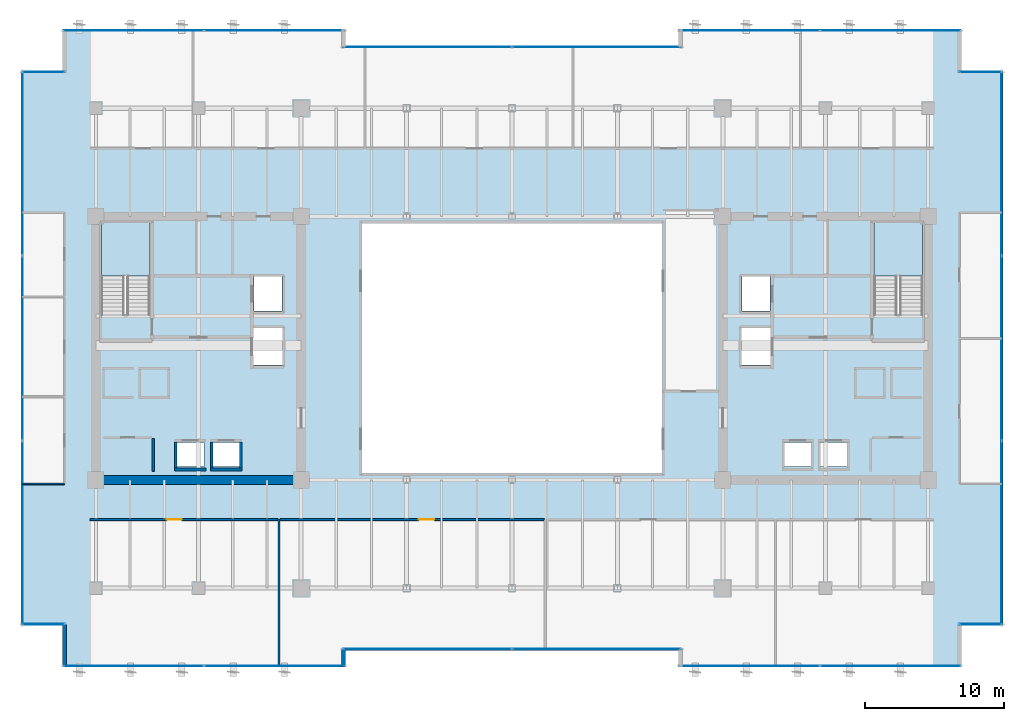
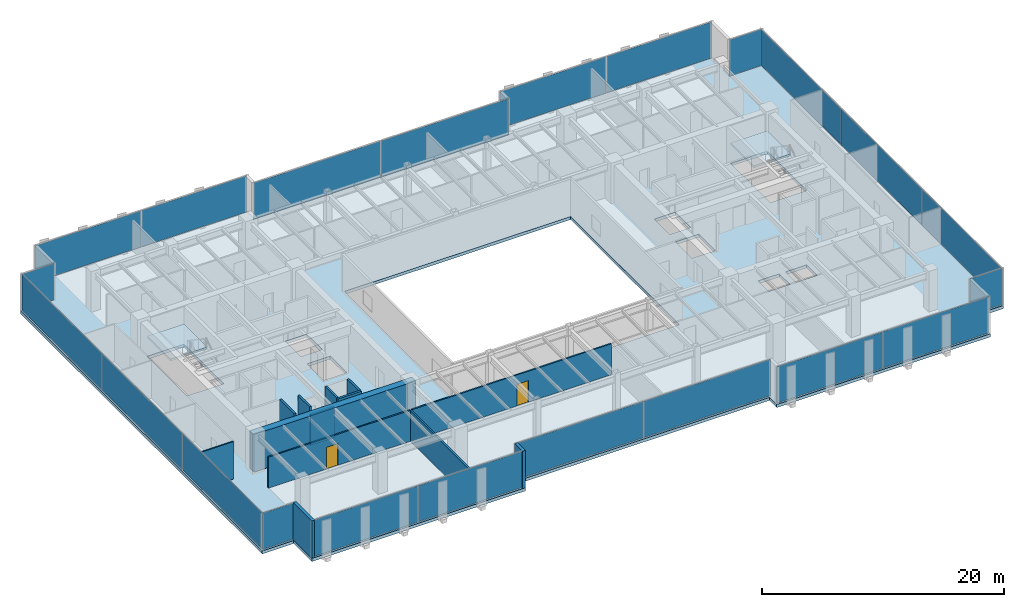
# One storey, part 24 of 34: 22 plates, 13 walls, 3 slabs, 2 doors, 2 openings, 14 elements without a shape of their own.
"""IFC4 building model written with IfcOpenShell, lengths in metres."""

from ifc_helpers import new_model, si_unit, direction, frame, frame_2d, origin, origin_2d, place, context, subcontext, project, spatial, polyline, rectangle, outline, extrude, source, transform, mapped, material, layer, layer_set, type_object, type_shapes, element, fill, aggregate, save


model = new_model("IFC4")

# Units and contexts
model_context = context("Model", 3, precision=1e-05, world=origin(), true_north=direction((0.0, 1.0)))
body_context = subcontext(model_context, "Body", "Model", "MODEL_VIEW")
ifc_project = project(units=[si_unit("LENGTHUNIT", "METRE"), si_unit("AREAUNIT", "SQUARE_METRE"), si_unit("VOLUMEUNIT", "CUBIC_METRE"), si_unit("PLANEANGLEUNIT", "RADIAN"), si_unit("MASSUNIT", "GRAM", prefix="KILO")], contexts=[model_context])

# Site, building, storey
site_placement = place(None, origin())
site = spatial("IfcSite", under=ifc_project, at=site_placement, CompositionType="ELEMENT")
building_placement = place(site_placement, origin())
building = spatial("IfcBuilding", under=site, at=building_placement, Name="Haelvirn Gate Laboratories", CompositionType="ELEMENT")
storey_placement = place(building_placement, frame((0.0, 0.0, 109.199951171875)))
storey = spatial("IfcBuildingStorey", under=building, at=storey_placement, Name="L26", CompositionType="ELEMENT", Elevation=109.199951171875)

# Stair, slab
ifc_material_1 = material(Name="Concrete C40/50", Category="concrete")
stair_type = type_object("IfcStairType", Name="ST-DOG-1650-R22", PredefinedType="HALF_TURN_STAIR", material=ifc_material_1)
stair_1_placement = place(storey_placement, origin())
stair_1 = element("IfcStair", 1, at=stair_1_placement, inside=storey, type_object=stair_type, Name="L26 Escape Stair ST1", PredefinedType="HALF_TURN_STAIR")
ifc_layer_1 = layer(ifc_material_1, 0.199951171875, Name="SL-STAIR-LND")
ifc_layer_set_1 = layer_set([ifc_layer_1], Name="Concrete C40/50")
slab_type_1 = type_object("IfcSlabType", Name="SL-STAIR-LND", PredefinedType="LANDING", material=ifc_layer_set_1)
slab_1_placement = place(storey_placement, frame((0.0, 0.0, 1.85009765625)))
slab_1 = element("IfcSlab", 2, at=slab_1_placement, type_object=slab_type_1, Name="ST1 landing 1", PredefinedType="LANDING", context=body_context, shape_type="SweptSolid", body=[
    extrude(outline(polyline([(11.300048828125, 29.5), (11.300048828125, 33.35009765625), (7.800048828125, 33.35009765625), (7.800048828125, 29.5), (11.300048828125, 29.5)])), origin(), (0.0, 0.0, 1.0), 0.199951171875),
])
aggregate(stair_1, [slab_1])

stair_2_placement = place(storey_placement, origin())
stair_2 = element("IfcStair", 3, at=stair_2_placement, inside=storey, type_object=stair_type, Name="L26 Escape Stair ST2", PredefinedType="HALF_TURN_STAIR")
slab_2_placement = place(storey_placement, frame((0.0, 0.0, 1.85009765625)))
slab_2 = element("IfcSlab", 4, at=slab_2_placement, type_object=slab_type_1, Name="ST2 landing 1", PredefinedType="LANDING", context=body_context, shape_type="SweptSolid", body=[
    extrude(outline(polyline([(67.0, 29.5), (67.0, 33.35009765625), (63.5, 33.35009765625), (63.5, 29.5), (67.0, 29.5)])), origin(), (0.0, 0.0, 1.0), 0.199951171875),
])
aggregate(stair_2, [slab_2])

# Slab
ifc_layer_2 = layer(ifc_material_1, 0.31005859375, Name="SL-Z2-310")
ifc_layer_set_2 = layer_set([ifc_layer_2], Name="Concrete C40/50")
slab_type_2 = type_object("IfcSlabType", Name="SL-Z2-310", PredefinedType="FLOOR", material=ifc_layer_set_2)
slab_3_placement = place(storey_placement, frame((0.0, 0.0, -0.31005859375)))
element("IfcSlab", 5, at=slab_3_placement, inside=storey, type_object=slab_type_2, Name="L26 Structural Slab MAIN", PredefinedType="FLOOR", context=body_context, shape_type="SweptSolid", body=[
    extrude(outline(polyline([(5.0, 1.300048828125), (25.39990234375, 1.300048828125), (25.39990234375, 2.5), (49.39990234375, 2.5), (49.39990234375, 1.300048828125), (69.800048828125, 1.300048828125), (69.800048828125, 4.300048828125), (72.800048828125, 4.300048828125), (72.800048828125, 44.300048828125), (69.800048828125, 44.300048828125), (69.800048828125, 47.300048828125), (49.39990234375, 47.300048828125), (49.39990234375, 46.10009765625), (25.39990234375, 46.10009765625), (25.39990234375, 47.300048828125), (5.0, 47.300048828125), (5.0, 44.300048828125), (2.0, 44.300048828125), (2.0, 4.300048828125), (5.0, 4.300048828125), (5.0, 1.300048828125)]), holes=[polyline([(26.60009765625, 15.300048828125), (48.199951171875, 15.300048828125), (48.199951171875, 33.300048828125), (26.60009765625, 33.300048828125), (26.60009765625, 15.300048828125)]), polyline([(11.300048828125, 26.780029296875), (11.300048828125, 33.35009765625), (7.800048828125, 33.35009765625), (7.800048828125, 26.780029296875), (11.300048828125, 26.780029296875)]), polyline([(67.0, 26.780029296875), (67.0, 33.35009765625), (63.5, 33.35009765625), (63.5, 26.780029296875), (67.0, 26.780029296875)]), polyline([(13.18994140625, 15.77001953125), (15.2099609375, 15.77001953125), (15.2099609375, 17.510009765625), (13.18994140625, 17.510009765625), (13.18994140625, 15.77001953125)]), polyline([(15.7900390625, 15.77001953125), (17.81005859375, 15.77001953125), (17.81005859375, 17.510009765625), (15.7900390625, 17.510009765625), (15.7900390625, 15.77001953125)]), polyline([(18.7900390625, 26.969970703125), (20.81005859375, 26.969970703125), (20.81005859375, 29.510009765625), (18.7900390625, 29.510009765625), (18.7900390625, 26.969970703125)]), polyline([(18.68994140625, 23.070068359375), (20.909912109375, 23.070068359375), (20.909912109375, 25.81005859375), (18.68994140625, 25.81005859375), (18.68994140625, 23.070068359375)]), polyline([(59.590087890625, 15.77001953125), (61.610107421875, 15.77001953125), (61.610107421875, 17.510009765625), (59.590087890625, 17.510009765625), (59.590087890625, 15.77001953125)]), polyline([(56.989990234375, 15.77001953125), (59.010009765625, 15.77001953125), (59.010009765625, 17.510009765625), (56.989990234375, 17.510009765625), (56.989990234375, 15.77001953125)]), polyline([(53.989990234375, 26.969970703125), (56.010009765625, 26.969970703125), (56.010009765625, 29.510009765625), (53.989990234375, 29.510009765625), (53.989990234375, 26.969970703125)]), polyline([(53.889892578125, 23.070068359375), (56.110107421875, 23.070068359375), (56.110107421875, 25.81005859375), (53.889892578125, 25.81005859375), (53.889892578125, 23.070068359375)])]), origin(), (0.0, 0.0, 1.0), 0.31005859375),
])

# Curtain wall, plates
ifc_material_2 = material(Name="Anodised bronze unitised aluminium & triple low-E glass", Category="aluminium")
ifc_layer_3 = layer(ifc_material_2, 0.179931640625, Name="CW-SYS-3")
ifc_layer_set_3 = layer_set([ifc_layer_3], Name="Anodised bronze unitised aluminium & triple low-E glass")
curtain_wall_type_1 = type_object("IfcCurtainWallType", Name="CW-SYS-3", PredefinedType="NOTDEFINED", material=ifc_layer_set_3)
curtain_wall_1_placement = place(storey_placement, origin())
curtain_wall_1 = element("IfcCurtainWall", 6, at=curtain_wall_1_placement, inside=storey, type_object=curtain_wall_type_1, Name="L26 Unitised Curtain Wall CW-L26-P0-E00-1", PredefinedType="NOTDEFINED")
ifc_material_3 = material(Name="High-selectivity bronze triple IGU 40 mm", Category="glass")
ifc_layer_4 = layer(ifc_material_3, 0.0400390625, Name="CWP-IGU-40")
ifc_layer_set_4 = layer_set([ifc_layer_4], Name="High-selectivity bronze triple IGU 40 mm")
plate_type_1 = type_object("IfcPlateType", Name="CWP-IGU-40", PredefinedType="CURTAIN_PANEL", material=ifc_layer_set_4)
shared_shape_1 = source(origin(), body_context, "Body", "SweptSolid", [
    extrude(rectangle(XDim=10.08740234375, YDim=0.0400390625, at=origin_2d()), origin(), (0.0, 0.0, 1.0), 3.659912109375),
])
plate_1_placement = place(storey_placement, frame((10.11865234375, 1.39990234375, 0.06494140625), z_axis=(0.0, 0.0, 1.0), x_axis=(1.0, 0.0, 0.0)))
plate_1 = element("IfcPlate", 7, at=plate_1_placement, type_object=plate_type_1, Name="CW3 panel 1.1", PredefinedType="CURTAIN_PANEL", context=body_context, shape_type="MappedRepresentation", body=[
    mapped(shared_shape_1, transform((0.0, 0.0, 0.0), scale=1.0)),
])
plate_2_placement = place(storey_placement, frame((20.28125, 1.39990234375, 0.06494140625), z_axis=(0.0, 0.0, 1.0), x_axis=(1.0, 0.0, 0.0)))
plate_2 = element("IfcPlate", 8, at=plate_2_placement, type_object=plate_type_1, Name="CW3 panel 2.1", PredefinedType="CURTAIN_PANEL", context=body_context, shape_type="MappedRepresentation", body=[
    mapped(shared_shape_1, transform((0.0, 0.0, 0.0), scale=1.0)),
])
aggregate(curtain_wall_1, [plate_1, plate_2])

curtain_wall_2_placement = place(storey_placement, origin())
curtain_wall_2 = element("IfcCurtainWall", 9, at=curtain_wall_2_placement, inside=storey, type_object=curtain_wall_type_1, Name="L26 Unitised Curtain Wall CW-L26-P0-E04-1", PredefinedType="NOTDEFINED")
plate_3_placement = place(storey_placement, frame((54.518798828125, 1.39990234375, 0.06494140625), z_axis=(0.0, 0.0, 1.0), x_axis=(1.0, 0.0, 0.0)))
plate_3 = element("IfcPlate", 10, at=plate_3_placement, type_object=plate_type_1, Name="CW3 panel 1.1", PredefinedType="CURTAIN_PANEL", context=body_context, shape_type="MappedRepresentation", body=[
    mapped(shared_shape_1, transform((0.0, 0.0, 0.0), scale=1.0)),
])
plate_4_placement = place(storey_placement, frame((64.68115234375, 1.39990234375, 0.06494140625), z_axis=(0.0, 0.0, 1.0), x_axis=(1.0, 0.0, 0.0)))
plate_4 = element("IfcPlate", 11, at=plate_4_placement, type_object=plate_type_1, Name="CW3 panel 2.1", PredefinedType="CURTAIN_PANEL", context=body_context, shape_type="MappedRepresentation", body=[
    mapped(shared_shape_1, transform((0.0, 0.0, 0.0), scale=1.0)),
])
aggregate(curtain_wall_2, [plate_3, plate_4])

curtain_wall_3_placement = place(storey_placement, origin())
curtain_wall_3 = element("IfcCurtainWall", 12, at=curtain_wall_3_placement, inside=storey, type_object=curtain_wall_type_1, Name="L26 Unitised Curtain Wall CW-L26-P0-E10-1", PredefinedType="NOTDEFINED")
plate_5_placement = place(storey_placement, frame((54.518798828125, 47.199951171875, 0.06494140625), z_axis=(0.0, 0.0, 1.0), x_axis=(1.0, 0.0, 0.0)))
plate_5 = element("IfcPlate", 13, at=plate_5_placement, type_object=plate_type_1, Name="CW3 panel 1.1", PredefinedType="CURTAIN_PANEL", context=body_context, shape_type="MappedRepresentation", body=[
    mapped(shared_shape_1, transform((0.0, 0.0, 0.0), scale=1.0)),
])
plate_6_placement = place(storey_placement, frame((64.68115234375, 47.199951171875, 0.06494140625), z_axis=(0.0, 0.0, 1.0), x_axis=(1.0, 0.0, 0.0)))
plate_6 = element("IfcPlate", 14, at=plate_6_placement, type_object=plate_type_1, Name="CW3 panel 2.1", PredefinedType="CURTAIN_PANEL", context=body_context, shape_type="MappedRepresentation", body=[
    mapped(shared_shape_1, transform((0.0, 0.0, 0.0), scale=1.0)),
])
aggregate(curtain_wall_3, [plate_5, plate_6])

curtain_wall_4_placement = place(storey_placement, origin())
curtain_wall_4 = element("IfcCurtainWall", 15, at=curtain_wall_4_placement, inside=storey, type_object=curtain_wall_type_1, Name="L26 Unitised Curtain Wall CW-L26-P0-E14-1", PredefinedType="NOTDEFINED")
plate_7_placement = place(storey_placement, frame((10.11865234375, 47.199951171875, 0.06494140625), z_axis=(0.0, 0.0, 1.0), x_axis=(1.0, 0.0, 0.0)))
plate_7 = element("IfcPlate", 16, at=plate_7_placement, type_object=plate_type_1, Name="CW3 panel 1.1", PredefinedType="CURTAIN_PANEL", context=body_context, shape_type="MappedRepresentation", body=[
    mapped(shared_shape_1, transform((0.0, 0.0, 0.0), scale=1.0)),
])
plate_8_placement = place(storey_placement, frame((20.28125, 47.199951171875, 0.06494140625), z_axis=(0.0, 0.0, 1.0), x_axis=(1.0, 0.0, 0.0)))
plate_8 = element("IfcPlate", 17, at=plate_8_placement, type_object=plate_type_1, Name="CW3 panel 2.1", PredefinedType="CURTAIN_PANEL", context=body_context, shape_type="MappedRepresentation", body=[
    mapped(shared_shape_1, transform((0.0, 0.0, 0.0), scale=1.0)),
])
aggregate(curtain_wall_4, [plate_7, plate_8])

curtain_wall_5_placement = place(storey_placement, origin())
curtain_wall_5 = element("IfcCurtainWall", 18, at=curtain_wall_5_placement, inside=storey, type_object=curtain_wall_type_1, Name="L26 Unitised Curtain Wall CW-L26-P0-E02-1", PredefinedType="NOTDEFINED")
shared_shape_2 = source(origin(), body_context, "Body", "SweptSolid", [
    extrude(rectangle(XDim=12.12744140625, YDim=0.0400390625, at=origin_2d()), origin(), (0.0, 0.0, 1.0), 3.659912109375),
])
plate_9_placement = place(storey_placement, frame((31.298828125, 2.60009765625, 0.06494140625), z_axis=(0.0, 0.0, 1.0), x_axis=(1.0, 0.0, 0.0)))
plate_9 = element("IfcPlate", 19, at=plate_9_placement, type_object=plate_type_1, Name="CW3 panel 1.1", PredefinedType="CURTAIN_PANEL", context=body_context, shape_type="MappedRepresentation", body=[
    mapped(shared_shape_2, transform((0.0, 0.0, 0.0), scale=1.0)),
])
plate_10_placement = place(storey_placement, frame((43.501220703125, 2.60009765625, 0.06494140625), z_axis=(0.0, 0.0, 1.0), x_axis=(1.0, 0.0, 0.0)))
plate_10 = element("IfcPlate", 20, at=plate_10_placement, type_object=plate_type_1, Name="CW3 panel 2.1", PredefinedType="CURTAIN_PANEL", context=body_context, shape_type="MappedRepresentation", body=[
    mapped(shared_shape_2, transform((0.0, 0.0, 0.0), scale=1.0)),
])
aggregate(curtain_wall_5, [plate_9, plate_10])

curtain_wall_6_placement = place(storey_placement, origin())
curtain_wall_6 = element("IfcCurtainWall", 21, at=curtain_wall_6_placement, inside=storey, type_object=curtain_wall_type_1, Name="L26 Unitised Curtain Wall CW-L26-P0-E12-1", PredefinedType="NOTDEFINED")
plate_11_placement = place(storey_placement, frame((31.298828125, 46.0, 0.06494140625), z_axis=(0.0, 0.0, 1.0), x_axis=(1.0, 0.0, 0.0)))
plate_11 = element("IfcPlate", 22, at=plate_11_placement, type_object=plate_type_1, Name="CW3 panel 1.1", PredefinedType="CURTAIN_PANEL", context=body_context, shape_type="MappedRepresentation", body=[
    mapped(shared_shape_2, transform((0.0, 0.0, 0.0), scale=1.0)),
])
plate_12_placement = place(storey_placement, frame((43.501220703125, 46.0, 0.06494140625), z_axis=(0.0, 0.0, 1.0), x_axis=(1.0, 0.0, 0.0)))
plate_12 = element("IfcPlate", 23, at=plate_12_placement, type_object=plate_type_1, Name="CW3 panel 2.1", PredefinedType="CURTAIN_PANEL", context=body_context, shape_type="MappedRepresentation", body=[
    mapped(shared_shape_2, transform((0.0, 0.0, 0.0), scale=1.0)),
])
aggregate(curtain_wall_6, [plate_11, plate_12])

# Curtain wall, plate
ifc_layer_5 = layer(ifc_material_2, 0.181884765625, Name="CW-SYS-5")
ifc_layer_set_5 = layer_set([ifc_layer_5], Name="Anodised bronze unitised aluminium & triple low-E glass")
curtain_wall_type_2 = type_object("IfcCurtainWallType", Name="CW-SYS-5", PredefinedType="NOTDEFINED", material=ifc_layer_set_5)
curtain_wall_7_placement = place(storey_placement, origin())
curtain_wall_7 = element("IfcCurtainWall", 24, at=curtain_wall_7_placement, inside=storey, type_object=curtain_wall_type_2, Name="L26 Unitised Curtain Wall CW-L26-P0-E06-1", PredefinedType="NOTDEFINED")
ifc_material_4 = material(Name="Clear low-iron notched-corner triple IGU 42 mm", Category="glass")
ifc_layer_6 = layer(ifc_material_4, 0.0419921875, Name="CWP-NTC-42")
ifc_layer_set_6 = layer_set([ifc_layer_6], Name="Clear low-iron notched-corner triple IGU 42 mm")
plate_type_2 = type_object("IfcPlateType", Name="CWP-NTC-42", PredefinedType="CURTAIN_PANEL", material=ifc_layer_set_6)
shared_shape_3 = source(origin(), body_context, "Body", "SweptSolid", [
    extrude(rectangle(XDim=3.080078125, YDim=0.0419921875, at=origin_2d()), origin(), (0.0, 0.0, 1.0), 3.659912109375),
])
type_shapes(plate_type_2, [shared_shape_3])
plate_13_placement = place(storey_placement, frame((71.179931640625, 4.39990234375, 0.06494140625), z_axis=(0.0, 0.0, 1.0), x_axis=(1.0, 0.0, 0.0)))
plate_13 = element("IfcPlate", 25, at=plate_13_placement, type_object=plate_type_2, Name="CW5 panel 1.1", PredefinedType="CURTAIN_PANEL", context=body_context, shape_type="MappedRepresentation", body=[
    mapped(shared_shape_3, transform((0.0, 0.0, 0.0), scale=1.0)),
])
aggregate(curtain_wall_7, [plate_13])

curtain_wall_8_placement = place(storey_placement, origin())
curtain_wall_8 = element("IfcCurtainWall", 26, at=curtain_wall_8_placement, inside=storey, type_object=curtain_wall_type_2, Name="L26 Unitised Curtain Wall CW-L26-P0-E08-1", PredefinedType="NOTDEFINED")
plate_14_placement = place(storey_placement, frame((71.179931640625, 44.199951171875, 0.06494140625), z_axis=(0.0, 0.0, 1.0), x_axis=(1.0, 0.0, 0.0)))
plate_14 = element("IfcPlate", 27, at=plate_14_placement, type_object=plate_type_2, Name="CW5 panel 1.1", PredefinedType="CURTAIN_PANEL", context=body_context, shape_type="MappedRepresentation", body=[
    mapped(shared_shape_3, transform((0.0, 0.0, 0.0), scale=1.0)),
])
aggregate(curtain_wall_8, [plate_14])

curtain_wall_9_placement = place(storey_placement, origin())
curtain_wall_9 = element("IfcCurtainWall", 28, at=curtain_wall_9_placement, inside=storey, type_object=curtain_wall_type_2, Name="L26 Unitised Curtain Wall CW-L26-P0-E16-1", PredefinedType="NOTDEFINED")
plate_15_placement = place(storey_placement, frame((3.6201171875, 44.199951171875, 0.06494140625), z_axis=(0.0, 0.0, 1.0), x_axis=(1.0, 0.0, 0.0)))
plate_15 = element("IfcPlate", 29, at=plate_15_placement, type_object=plate_type_2, Name="CW5 panel 1.1", PredefinedType="CURTAIN_PANEL", context=body_context, shape_type="MappedRepresentation", body=[
    mapped(shared_shape_3, transform((0.0, 0.0, 0.0), scale=1.0)),
])
aggregate(curtain_wall_9, [plate_15])

curtain_wall_10_placement = place(storey_placement, origin())
curtain_wall_10 = element("IfcCurtainWall", 30, at=curtain_wall_10_placement, inside=storey, type_object=curtain_wall_type_2, Name="L26 Unitised Curtain Wall CW-L26-P0-E18-1", PredefinedType="NOTDEFINED")
plate_16_placement = place(storey_placement, frame((3.6201171875, 4.39990234375, 0.06494140625), z_axis=(0.0, 0.0, 1.0), x_axis=(1.0, 0.0, 0.0)))
plate_16 = element("IfcPlate", 31, at=plate_16_placement, type_object=plate_type_2, Name="CW5 panel 1.1", PredefinedType="CURTAIN_PANEL", context=body_context, shape_type="MappedRepresentation", body=[
    mapped(shared_shape_3, transform((0.0, 0.0, 0.0), scale=1.0)),
])
aggregate(curtain_wall_10, [plate_16])

# Curtain wall, plates
curtain_wall_11_placement = place(storey_placement, origin())
curtain_wall_11 = element("IfcCurtainWall", 32, at=curtain_wall_11_placement, inside=storey, type_object=curtain_wall_type_1, Name="L26 Unitised Curtain Wall CW-L26-P0-E07", PredefinedType="NOTDEFINED")
shared_shape_4 = source(origin(), body_context, "Body", "SweptSolid", [
    extrude(rectangle(XDim=13.220947265625, YDim=0.0400390625, at=origin_2d()), origin(), (0.0, 0.0, 1.0), 3.659912109375),
])
plate_17_placement = place(storey_placement, frame((72.699951171875, 10.9853515625, 0.06494140625), z_axis=(0.0, 0.0, 1.0), x_axis=(0.0, 1.0, 0.0)))
plate_17 = element("IfcPlate", 33, at=plate_17_placement, type_object=plate_type_1, Name="CW3 panel 1.1", PredefinedType="CURTAIN_PANEL", context=body_context, shape_type="MappedRepresentation", body=[
    mapped(shared_shape_4, transform((0.0, 0.0, 0.0), scale=1.0)),
])
plate_18_placement = place(storey_placement, frame((72.699951171875, 37.614501953125, 0.06494140625), z_axis=(0.0, 0.0, 1.0), x_axis=(0.0, 1.0, 0.0)))
plate_18 = element("IfcPlate", 34, at=plate_18_placement, type_object=plate_type_1, Name="CW3 panel 3.1", PredefinedType="CURTAIN_PANEL", context=body_context, shape_type="MappedRepresentation", body=[
    mapped(shared_shape_4, transform((0.0, 0.0, 0.0), scale=1.0)),
])

curtain_wall_12_placement = place(storey_placement, origin())
curtain_wall_12 = element("IfcCurtainWall", 35, at=curtain_wall_12_placement, inside=storey, type_object=curtain_wall_type_1, Name="L26 Unitised Curtain Wall CW-L26-P0-E17", PredefinedType="NOTDEFINED")
plate_19_placement = place(storey_placement, frame((2.10009765625, 37.614501953125, 0.06494140625), z_axis=(0.0, 0.0, 1.0), x_axis=(0.0, -1.0, 0.0)))
plate_19 = element("IfcPlate", 36, at=plate_19_placement, type_object=plate_type_1, Name="CW3 panel 1.1", PredefinedType="CURTAIN_PANEL", context=body_context, shape_type="MappedRepresentation", body=[
    mapped(shared_shape_4, transform((0.0, 0.0, 0.0), scale=1.0)),
])
plate_20_placement = place(storey_placement, frame((2.10009765625, 10.9853515625, 0.06494140625), z_axis=(0.0, 0.0, 1.0), x_axis=(0.0, -1.0, 0.0)))
plate_20 = element("IfcPlate", 37, at=plate_20_placement, type_object=plate_type_1, Name="CW3 panel 3.1", PredefinedType="CURTAIN_PANEL", context=body_context, shape_type="MappedRepresentation", body=[
    mapped(shared_shape_4, transform((0.0, 0.0, 0.0), scale=1.0)),
])

# Plate
shared_shape_5 = source(origin(), body_context, "Body", "SweptSolid", [
    extrude(rectangle(XDim=13.25830078125, YDim=0.0400390625, at=origin_2d()), origin(), (0.0, 0.0, 1.0), 3.659912109375),
])
type_shapes(plate_type_1, [shared_shape_1, shared_shape_2, shared_shape_4, shared_shape_5])
plate_21_placement = place(storey_placement, frame((72.699951171875, 24.300048828125, 0.06494140625), z_axis=(0.0, 0.0, 1.0), x_axis=(0.0, 1.0, 0.0)))
plate_21 = element("IfcPlate", 38, at=plate_21_placement, type_object=plate_type_1, Name="CW3 panel 2.1", PredefinedType="CURTAIN_PANEL", context=body_context, shape_type="MappedRepresentation", body=[
    mapped(shared_shape_5, transform((0.0, 0.0, 0.0), scale=1.0)),
])

aggregate(curtain_wall_11, [plate_17, plate_21, plate_18])

plate_22_placement = place(storey_placement, frame((2.10009765625, 24.300048828125, 0.06494140625), z_axis=(0.0, 0.0, 1.0), x_axis=(0.0, -1.0, 0.0)))
plate_22 = element("IfcPlate", 39, at=plate_22_placement, type_object=plate_type_1, Name="CW3 panel 2.1", PredefinedType="CURTAIN_PANEL", context=body_context, shape_type="MappedRepresentation", body=[
    mapped(shared_shape_5, transform((0.0, 0.0, 0.0), scale=1.0)),
])

aggregate(curtain_wall_12, [plate_19, plate_22, plate_20])

# Walls
ifc_material_5 = material(Name="Thermally-broken bronze aluminium rainscreen & mineral wool", Category="aluminium")
ifc_layer_7 = layer(ifc_material_5, 0.280029296875, Name="EW-TERR-280")
ifc_layer_set_7 = layer_set([ifc_layer_7], Name="Thermally-broken bronze aluminium rainscreen & mineral wool")
wall_type_1 = type_object("IfcWallType", Name="EW-TERR-280", PredefinedType="STANDARD", material=ifc_layer_set_7)
wall_1_placement = place(storey_placement, frame((25.260009765625, 1.300048828125, 0.0), z_axis=(0.0, 0.0, 1.0), x_axis=(0.0, 1.0, 0.0)))
element("IfcWall", 40, at=wall_1_placement, inside=storey, type_object=wall_type_1, Name="L26 Atrium Recess Bronze Return Wall 01", PredefinedType="STANDARD", context=body_context, shape_type="SweptSolid", body=[
    extrude(rectangle(XDim=1.287841796875, YDim=0.280029296875, at=frame_2d((0.64404296875, 0.0))), origin(), (0.0, 0.0, 1.0), 3.7900390625),
])
wall_2_placement = place(storey_placement, frame((5.139892578125, 4.387939453125, 0.0), z_axis=(0.0, 0.0, 1.0), x_axis=(0.0, -1.0, 0.0)))
element("IfcWall", 41, at=wall_2_placement, inside=storey, type_object=wall_type_1, Name="L26 Atrium Recess Bronze Return Wall 19", PredefinedType="STANDARD", context=body_context, shape_type="SweptSolid", body=[
    extrude(rectangle(XDim=3.087890625, YDim=0.280029296875, at=frame_2d((1.5439453125, 0.0))), origin(), (0.0, 0.0, 1.0), 3.7900390625),
])
ifc_material_6 = material(Name="Double-layer acoustic gypsum laboratory partition", Category="gypsum")
ifc_layer_8 = layer(ifc_material_6, 0.159912109375, Name="IW-ACOUST-160")
ifc_layer_set_8 = layer_set([ifc_layer_8], Name="Double-layer acoustic gypsum laboratory partition")
wall_type_2 = type_object("IfcWallType", Name="IW-ACOUST-160", PredefinedType="PARTITIONING", material=ifc_layer_set_8)
wall_3_placement = place(storey_placement, frame((20.60009765625, 1.409912109375, 0.0), z_axis=(0.0, 0.0, 1.0), x_axis=(0.0, 1.0, 0.0)))
element("IfcWall", 42, at=wall_3_placement, inside=storey, type_object=wall_type_2, Name="L26 Interior Wall IW-L26-SDIV-01", PredefinedType="PARTITIONING", context=body_context, shape_type="SweptSolid", body=[
    extrude(rectangle(XDim=10.530029296875, YDim=0.159912109375, at=frame_2d((5.26513671875, 0.0))), origin(), (0.0, 0.0, 1.0), 3.074951171875),
])
ifc_material_7 = material(Name="Lightweight acoustic gypsum board partition", Category="gypsum")
ifc_layer_9 = layer(ifc_material_7, 0.1201171875, Name="IW-PART-120")
ifc_layer_set_9 = layer_set([ifc_layer_9], Name="Lightweight acoustic gypsum board partition")
wall_type_3 = type_object("IfcWallType", Name="IW-PART-120", PredefinedType="PARTITIONING", material=ifc_layer_set_9)
wall_4_placement = place(storey_placement, frame((2.110107421875, 14.514892578125, 0.0), z_axis=(0.0, 0.0, 1.0), x_axis=(1.0, 0.0, 0.0)))
element("IfcWall", 43, at=wall_4_placement, inside=storey, type_object=wall_type_3, Name="L26 Interior Wall IW-L26-WCAP-S", PredefinedType="PARTITIONING", context=body_context, shape_type="SweptSolid", body=[
    extrude(rectangle(XDim=3.019775390625, YDim=0.1201171875, at=frame_2d((1.509765625, 0.0))), origin(), (0.0, 0.0, 1.0), 3.7900390625),
])

# Wall, opening, door
ifc_material_8 = material(Name="Acoustic mineral-wool gypsum board partition", Category="gypsum")
ifc_layer_10 = layer(ifc_material_8, 0.139892578125, Name="IW-PART-140")
ifc_layer_set_10 = layer_set([ifc_layer_10], Name="Acoustic mineral-wool gypsum board partition")
wall_type_4 = type_object("IfcWallType", Name="IW-PART-140", PredefinedType="PARTITIONING", material=ifc_layer_set_10)
wall_5_placement = place(storey_placement, frame((6.97998046875, 11.93994140625, 0.0), z_axis=(0.0, 0.0, 1.0), x_axis=(1.0, 0.0, 0.0)))
wall_5 = element("IfcWall", 44, at=wall_5_placement, inside=storey, type_object=wall_type_4, Name="L26 Interior Wall IW-L26-SCORR-01", PredefinedType="PARTITIONING", context=body_context, shape_type="SweptSolid", body=[
    extrude(rectangle(XDim=13.5400390625, YDim=0.139892578125, at=frame_2d((6.77001953125, 0.0))), origin(), (0.0, 0.0, 1.0), 3.125),
])
opening_1_placement = place(wall_5_placement, frame((5.515625, 0.0, 0.0)))
opening_1 = element("IfcOpeningElement", 45, at=opening_1_placement, cuts=wall_5, Name="Opening D1", PredefinedType="OPENING", context=body_context, shape_type="SweptSolid", body=[
    extrude(rectangle(XDim=1.10009765625, YDim=2.179931640625, at=frame_2d((0.550048828125, 1.08984375))), frame((0.0, 0.080078125, 0.0), z_axis=(0.0, -1.0, 0.0), x_axis=(1.0, 0.0, 0.0)), (0.0, 0.0, 1.0), 0.159912109375),
])
ifc_material_9 = material(Name="Vision-panel acoustic solid-core timber lab door", Category="wood")
door_type = type_object("IfcDoorType", Name="DR-LAB-1100", OperationType="NOTDEFINED", PredefinedType="DOOR", material=ifc_material_9)
shared_shape_6 = source(origin(), body_context, "Body", "SweptSolid", [
    extrude(rectangle(XDim=1.10009765625, YDim=2.179931640625, at=frame_2d((0.550048828125, 1.08984375))), frame((0.0, 0.02490234375, 0.0), z_axis=(0.0, -1.0, 0.0), x_axis=(1.0, 0.0, 0.0)), (0.0, 0.0, 1.0), 0.050048828125),
])
type_shapes(door_type, [shared_shape_6])
door_1_placement = place(opening_1_placement, origin())
door_1 = element("IfcDoor", 46, at=door_1_placement, inside=storey, type_object=door_type, Name="L26 Bioinformatics Dry-Lab Workspace Door S1", OperationType="SINGLE_SWING_LEFT", OverallHeight=2.179931640625, OverallWidth=1.10009765625, PredefinedType="DOOR", context=body_context, shape_type="MappedRepresentation", body=[
    mapped(shared_shape_6, transform((0.0, 0.0, 0.0), scale=1.0)),
])
fill(opening_1, door_1)

wall_6_placement = place(storey_placement, frame((20.679931640625, 11.93994140625, 0.0), z_axis=(0.0, 0.0, 1.0), x_axis=(1.0, 0.0, 0.0)))
wall_6 = element("IfcWall", 47, at=wall_6_placement, inside=storey, type_object=wall_type_4, Name="L26 Interior Wall IW-L26-SCORR-02", PredefinedType="PARTITIONING", context=body_context, shape_type="SweptSolid", body=[
    extrude(rectangle(XDim=19.0400390625, YDim=0.139892578125, at=frame_2d((9.52001953125, 0.0))), origin(), (0.0, 0.0, 1.0), 3.125),
])
opening_2_placement = place(wall_6_placement, frame((10.00439453125, 0.0, 0.0)))
opening_2 = element("IfcOpeningElement", 48, at=opening_2_placement, cuts=wall_6, Name="Opening D1", PredefinedType="OPENING", context=body_context, shape_type="SweptSolid", body=[
    extrude(rectangle(XDim=1.10009765625, YDim=2.179931640625, at=frame_2d((0.550048828125, 1.08984375))), frame((0.0, 0.080078125, 0.0), z_axis=(0.0, -1.0, 0.0), x_axis=(1.0, 0.0, 0.0)), (0.0, 0.0, 1.0), 0.159912109375),
])
door_2_placement = place(opening_2_placement, origin())
door_2 = element("IfcDoor", 49, at=door_2_placement, inside=storey, type_object=door_type, Name="L26 Translational Data Office Door S2", OperationType="SINGLE_SWING_RIGHT", OverallHeight=2.179931640625, OverallWidth=1.10009765625, PredefinedType="DOOR", context=body_context, shape_type="MappedRepresentation", body=[
    mapped(shared_shape_6, transform((0.0, 0.0, 0.0), scale=1.0)),
])
fill(opening_2, door_2)

# Walls
ifc_layer_11 = layer(ifc_material_1, 0.179931640625, Name="IW-SHAFT-180")
ifc_layer_set_11 = layer_set([ifc_layer_11], Name="Concrete C40/50")
wall_type_5 = type_object("IfcWallType", Name="IW-SHAFT-180", PredefinedType="SOLIDWALL", material=ifc_layer_set_11)
for number, where, z_axis, x_axis, name in (
    (50, (13.14990234375, 15.64990234375, 0.0), (0.0, 0.0, 1.0), (0.0, 1.0, 0.0), "L26 Interior Wall IW-L26-PL5-SD"),
    (51, (15.75, 15.64990234375, 0.0), (0.0, 0.0, 1.0), (0.0, 1.0, 0.0), "L26 Interior Wall IW-L26-PL6-SD"),
    (52, (17.85009765625, 15.64990234375, 0.0), (0.0, 0.0, 1.0), (0.0, 1.0, 0.0), "L26 Interior Wall IW-L26-PL6-SDE"),
):
    element("IfcWall", number, at=place(storey_placement, frame(where, z_axis=z_axis, x_axis=x_axis)), inside=storey, type_object=wall_type_5, Name=name, PredefinedType="SOLIDWALL", context=body_context, shape_type="SweptSolid", body=[
        extrude(rectangle(XDim=1.900146484375, YDim=0.179931640625, at=frame_2d((0.9501953125, 0.0))), origin(), (0.0, 0.0, 1.0), 3.7900390625),
    ])
wall_7_placement = place(storey_placement, frame((11.5400390625, 15.39990234375, 0.0), z_axis=(0.0, 0.0, 1.0), x_axis=(0.0, 1.0, 0.0)))
element("IfcWall", 53, at=wall_7_placement, inside=storey, type_object=wall_type_5, Name="L26 Interior Wall IW-L26-W-FREED-LE-1", PredefinedType="SOLIDWALL", context=body_context, shape_type="SweptSolid", body=[
    extrude(rectangle(XDim=2.400146484375, YDim=0.179931640625, at=frame_2d((1.2001953125, 0.0))), origin(), (0.0, 0.0, 1.0), 3.7900390625),
])
ifc_layer_12 = layer(ifc_material_1, 0.199951171875, Name="IW-SHAFT-200")
ifc_layer_set_12 = layer_set([ifc_layer_12], Name="Concrete C40/50")
wall_type_6 = type_object("IfcWallType", Name="IW-SHAFT-200", PredefinedType="SOLIDWALL", material=ifc_layer_set_12)
wall_8_placement = place(storey_placement, frame((13.070068359375, 15.550048828125, 0.0), z_axis=(0.0, 0.0, 1.0), x_axis=(1.0, 0.0, 0.0)))
element("IfcWall", 54, at=wall_8_placement, inside=storey, type_object=wall_type_6, Name="L26 Interior Wall IW-L26-PL5-BK", PredefinedType="SOLIDWALL", context=body_context, shape_type="SweptSolid", body=[
    extrude(rectangle(XDim=2.260009765625, YDim=0.199951171875, at=frame_2d((1.1298828125, 0.0))), origin(), (0.0, 0.0, 1.0), 3.125),
])
wall_9_placement = place(storey_placement, frame((15.669921875, 15.550048828125, 0.0), z_axis=(0.0, 0.0, 1.0), x_axis=(1.0, 0.0, 0.0)))
element("IfcWall", 55, at=wall_9_placement, inside=storey, type_object=wall_type_6, Name="L26 Interior Wall IW-L26-PL6-BK", PredefinedType="SOLIDWALL", context=body_context, shape_type="SweptSolid", body=[
    extrude(rectangle(XDim=2.260009765625, YDim=0.199951171875, at=frame_2d((1.1298828125, 0.0))), origin(), (0.0, 0.0, 1.0), 3.7900390625),
])
ifc_material_10 = material(Name="Concrete C60/75", Category="concrete")
ifc_layer_13 = layer(ifc_material_10, 0.64990234375, Name="SW-CORE-650")
ifc_layer_set_13 = layer_set([ifc_layer_13], Name="Concrete C60/75")
wall_type_7 = type_object("IfcWallType", Name="SW-CORE-650", PredefinedType="SHEAR", material=ifc_layer_set_13)
wall_10_placement = place(storey_placement, frame((7.074951171875, 14.800048828125, 0.0), z_axis=(0.0, 0.0, 1.0), x_axis=(1.0, 0.0, 0.0)))
element("IfcWall", 56, at=wall_10_placement, inside=storey, type_object=wall_type_7, Name="L26 W Core Shear Wall S", PredefinedType="SHEAR", context=body_context, shape_type="SweptSolid", body=[
    extrude(rectangle(XDim=15.449951171875, YDim=0.64990234375, at=frame_2d((7.72509765625, 0.0))), origin(), (0.0, 0.0, 1.0), 3.7900390625),
])

save(model, "model.ifc")
